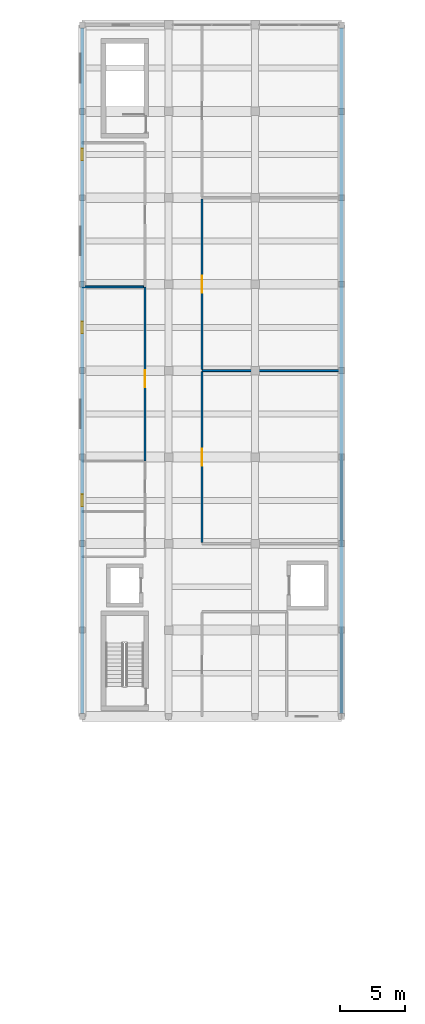
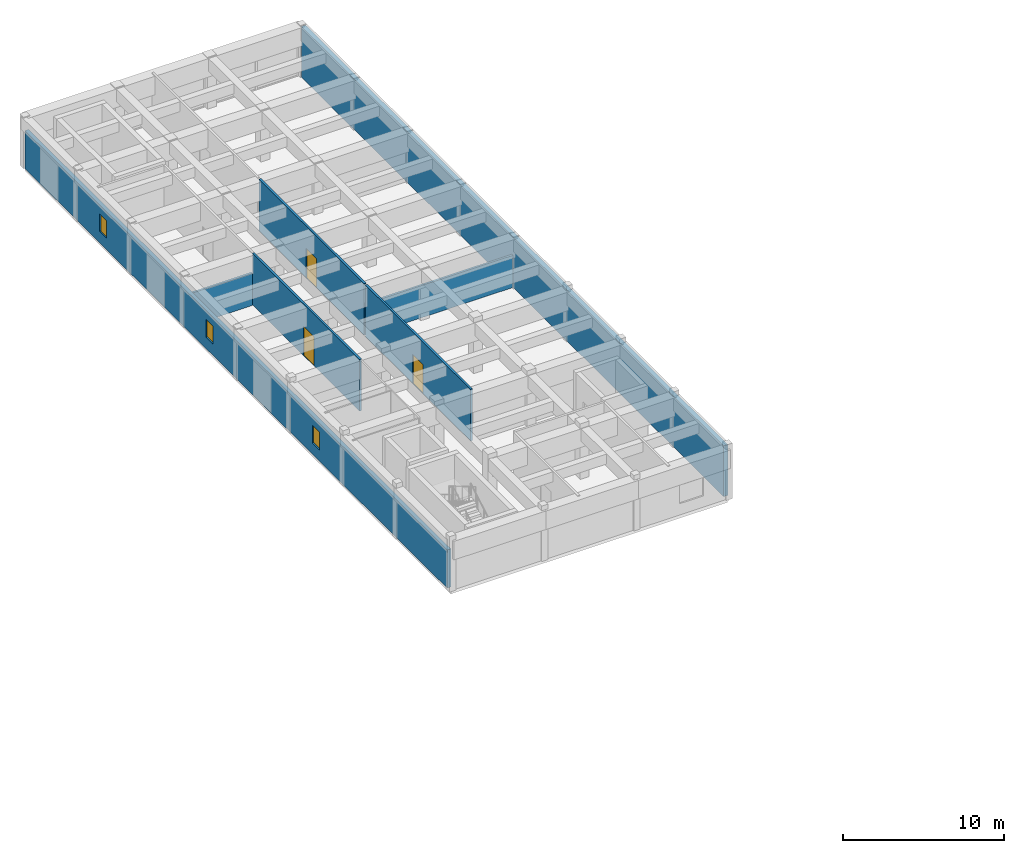
# One storey, part 120 of 134: 7 walls, 3 doors, 3 windows, 6 openings.
"""IFC4 building model written with IfcOpenShell, lengths in metres."""

from ifc_helpers import new_model, si_unit, direction, frame, frame_2d, origin, place, context, subcontext, project, spatial, rectangle, extrude, material, layer, layer_set, type_object, element, fill, save


model = new_model("IFC4")

# Units and contexts
model_context = context("Model", 3, precision=1e-05, world=origin(), true_north=direction((0.0, 1.0)))
body_context = subcontext(model_context, "Body", "Model", "MODEL_VIEW")
ifc_project = project(units=[si_unit("LENGTHUNIT", "METRE"), si_unit("AREAUNIT", "SQUARE_METRE"), si_unit("VOLUMEUNIT", "CUBIC_METRE"), si_unit("PLANEANGLEUNIT", "RADIAN"), si_unit("MASSUNIT", "GRAM", prefix="KILO")], contexts=[model_context])

# Site, building, storey
site_placement = place(None, origin())
site = spatial("IfcSite", under=ifc_project, at=site_placement, CompositionType="ELEMENT")
building_placement = place(site_placement, origin())
building = spatial("IfcBuilding", under=site, at=building_placement, Name="Karori Crest Natural Sciences Institute", CompositionType="ELEMENT")
storey_placement = place(building_placement, frame((0.0, 0.0, 21.699951171875)))
storey = spatial("IfcBuildingStorey", under=building, at=storey_placement, Name="L05", CompositionType="ELEMENT", Elevation=21.699951171875)

# Wall
ifc_material_1 = material(Name="Clean-room insulated fire partition")
ifc_layer_1 = layer(ifc_material_1, 0.14990234375, Name="Clean-room insulated fire partition")
ifc_layer_set_1 = layer_set([ifc_layer_1], Name="Clean-room insulated fire partition")
wall_type_1 = type_object("IfcWallType", Name="IWT-06", PredefinedType="PARTITIONING", material=ifc_layer_set_1)
wall_1_placement = place(storey_placement, frame((7.39990234375, 127.800048828125, 0.0), z_axis=(0.0, 0.0, 1.0), x_axis=(1.0, 0.0, 0.0)))
element("IfcWall", 1, at=wall_1_placement, inside=storey, type_object=wall_type_1, Name="Partition wall IW-1027", PredefinedType="PARTITIONING", context=body_context, shape_type="SweptSolid", body=[
    extrude(rectangle(XDim=4.697998046875, YDim=0.14990234375, at=frame_2d((2.34912109375, 0.0))), origin(), (0.0, 0.0, 1.0), 2.43505859375),
])

# Wall, opening, door
wall_2_placement = place(storey_placement, frame((12.199951171875, 114.501953125, 0.0), z_axis=(0.0, 0.0, 1.0), x_axis=(0.0, 1.0, 0.0)))
wall_2 = element("IfcWall", 2, at=wall_2_placement, inside=storey, type_object=wall_type_1, Name="Partition wall IW-1028", PredefinedType="PARTITIONING", context=body_context, shape_type="SweptSolid", body=[
    extrude(rectangle(XDim=13.298095703125, YDim=0.14990234375, at=frame_2d((6.64892578125, 0.0))), origin(), (0.0, 0.0, 1.0), 3.900146484375),
])
opening_1_placement = place(wall_2_placement, frame((5.64892578125, 0.0, 0.0)))
opening_1 = element("IfcOpeningElement", 3, at=opening_1_placement, cuts=wall_2, Name="Opening ID-0283", PredefinedType="OPENING", context=body_context, shape_type="SweptSolid", body=[
    extrude(rectangle(XDim=1.300048828125, YDim=2.199951171875, at=frame_2d((0.64990234375, 1.10009765625))), frame((0.0, 0.0849609375, 0.0), z_axis=(0.0, -1.0, 0.0), x_axis=(1.0, 0.0, 0.0)), (0.0, 0.0, 1.0), 0.169921875),
])
ifc_material_2 = material(Name="Stainless steel 316 and fire-rated timber", Category="steel")
door_type = type_object("IfcDoorType", Name="IDT-04", OperationType="NOTDEFINED", PredefinedType="DOOR", material=ifc_material_2)
door_1_placement = place(opening_1_placement, origin())
door_1 = element("IfcDoor", 4, at=door_1_placement, inside=storey, type_object=door_type, Name="Clean-Room Gowning Airlock Suite door ID-0283", OperationType="SINGLE_SWING_LEFT", OverallHeight=2.199951171875, OverallWidth=1.300048828125, PredefinedType="DOOR", context=body_context, shape_type="SweptSolid", body=[
    extrude(rectangle(XDim=1.300048828125, YDim=2.199951171875, at=frame_2d((0.64990234375, 1.10009765625))), frame((0.0, 0.02490234375, 0.0), z_axis=(0.0, -1.0, 0.0), x_axis=(1.0, 0.0, 0.0)), (0.0, 0.0, 1.0), 0.050048828125),
])
fill(opening_1, door_1)

# Wall
wall_3_placement = place(storey_placement, frame((16.550048828125, 121.39990234375, 0.0), z_axis=(0.0, 0.0, 1.0), x_axis=(1.0, 0.0, 0.0)))
element("IfcWall", 5, at=wall_3_placement, inside=storey, type_object=wall_type_1, Name="Partition wall IW-1035", PredefinedType="PARTITIONING", context=body_context, shape_type="SweptSolid", body=[
    extrude(rectangle(XDim=10.64990234375, YDim=0.14990234375, at=frame_2d((5.324951171875, 0.0))), origin(), (0.0, 0.0, 1.0), 2.43505859375),
])

# Wall, opening, door
wall_4_placement = place(storey_placement, frame((16.550048828125, 108.277099609375, 0.0), z_axis=(0.0, 0.0, 1.0), x_axis=(0.0, 1.0, 0.0)))
wall_4 = element("IfcWall", 6, at=wall_4_placement, inside=storey, type_object=wall_type_1, Name="Partition wall IW-1036", PredefinedType="PARTITIONING", context=body_context, shape_type="SweptSolid", body=[
    extrude(rectangle(XDim=13.0458984375, YDim=0.14990234375, at=frame_2d((6.52294921875, 0.0))), origin(), (0.0, 0.0, 1.0), 3.900146484375),
])
opening_2_placement = place(wall_4_placement, frame((5.873046875, 0.0, 0.0)))
opening_2 = element("IfcOpeningElement", 7, at=opening_2_placement, cuts=wall_4, Name="Opening ID-0286", PredefinedType="OPENING", context=body_context, shape_type="SweptSolid", body=[
    extrude(rectangle(XDim=1.300048828125, YDim=2.199951171875, at=frame_2d((0.64990234375, 1.10009765625))), frame((0.0, 0.0849609375, 0.0), z_axis=(0.0, -1.0, 0.0), x_axis=(1.0, 0.0, 0.0)), (0.0, 0.0, 1.0), 0.169921875),
])
door_2_placement = place(opening_2_placement, origin())
door_2 = element("IfcDoor", 8, at=door_2_placement, inside=storey, type_object=door_type, Name="Laser Interferometry Metrology Suite door ID-0286", OperationType="SINGLE_SWING_RIGHT", OverallHeight=2.199951171875, OverallWidth=1.300048828125, PredefinedType="DOOR", context=body_context, shape_type="SweptSolid", body=[
    extrude(rectangle(XDim=1.300048828125, YDim=2.199951171875, at=frame_2d((0.64990234375, 1.10009765625))), frame((0.0, 0.02490234375, 0.0), z_axis=(0.0, -1.0, 0.0), x_axis=(1.0, 0.0, 0.0)), (0.0, 0.0, 1.0), 0.050048828125),
])
fill(opening_2, door_2)

wall_5_placement = place(storey_placement, frame((16.550048828125, 121.47705078125, 0.0), z_axis=(0.0, 0.0, 1.0), x_axis=(0.0, 1.0, 0.0)))
wall_5 = element("IfcWall", 9, at=wall_5_placement, inside=storey, type_object=wall_type_1, Name="Partition wall IW-1038", PredefinedType="PARTITIONING", context=body_context, shape_type="SweptSolid", body=[
    extrude(rectangle(XDim=13.0458984375, YDim=0.14990234375, at=frame_2d((6.52294921875, 0.0))), origin(), (0.0, 0.0, 1.0), 3.900146484375),
])
opening_3_placement = place(wall_5_placement, frame((5.873046875, 0.0, 0.0)))
opening_3 = element("IfcOpeningElement", 10, at=opening_3_placement, cuts=wall_5, Name="Opening ID-0287", PredefinedType="OPENING", context=body_context, shape_type="SweptSolid", body=[
    extrude(rectangle(XDim=1.300048828125, YDim=2.199951171875, at=frame_2d((0.64990234375, 1.10009765625))), frame((0.0, 0.0849609375, 0.0), z_axis=(0.0, -1.0, 0.0), x_axis=(1.0, 0.0, 0.0)), (0.0, 0.0, 1.0), 0.169921875),
])
door_3_placement = place(opening_3_placement, origin())
door_3 = element("IfcDoor", 11, at=door_3_placement, inside=storey, type_object=door_type, Name="Electron Microscopy Clean Room door ID-0287", OperationType="SINGLE_SWING_LEFT", OverallHeight=2.199951171875, OverallWidth=1.300048828125, PredefinedType="DOOR", context=body_context, shape_type="SweptSolid", body=[
    extrude(rectangle(XDim=1.300048828125, YDim=2.199951171875, at=frame_2d((0.64990234375, 1.10009765625))), frame((0.0, 0.02490234375, 0.0), z_axis=(0.0, -1.0, 0.0), x_axis=(1.0, 0.0, 0.0)), (0.0, 0.0, 1.0), 0.050048828125),
])
fill(opening_3, door_3)

# Wall
ifc_material_3 = material(Name="Precast concrete 40 MPa", Category="concrete")
ifc_layer_2 = layer(ifc_material_3, 0.300048828125, Name="Precast concrete 40 MPa")
ifc_layer_set_2 = layer_set([ifc_layer_2], Name="Precast concrete 40 MPa")
wall_type_2 = type_object("IfcWallType", Name="WT-01", PredefinedType="SOLIDWALL", material=ifc_layer_set_2)
wall_6_placement = place(storey_placement, frame((27.199951171875, 147.576904296875, 0.0), z_axis=(0.0, 0.0, 1.0), x_axis=(0.0, -1.0, 0.0)))
element("IfcWall", 12, at=wall_6_placement, inside=storey, type_object=wall_type_2, Name="Exterior wall EW-0177", PredefinedType="SOLIDWALL", context=body_context, shape_type="SweptSolid", body=[
    extrude(rectangle(XDim=52.35400390625, YDim=0.300048828125, at=frame_2d((26.177001953125, 0.0))), origin(), (0.0, 0.0, 1.0), 3.840087890625),
])

# Wall, openings, windows
ifc_layer_3 = layer(ifc_material_3, 0.260009765625, Name="Precast concrete 40 MPa")
ifc_layer_set_3 = layer_set([ifc_layer_3], Name="Precast concrete 40 MPa")
wall_type_3 = type_object("IfcWallType", Name="WT-03", PredefinedType="SOLIDWALL", material=ifc_layer_set_3)
wall_7_placement = place(storey_placement, frame((7.39990234375, 95.222900390625, 0.0), z_axis=(0.0, 0.0, 1.0), x_axis=(0.0, 1.0, 0.0)))
wall_7 = element("IfcWall", 13, at=wall_7_placement, inside=storey, type_object=wall_type_3, Name="Exterior wall EW-0178", PredefinedType="SOLIDWALL", context=body_context, shape_type="SweptSolid", body=[
    extrude(rectangle(XDim=52.35400390625, YDim=0.260009765625, at=frame_2d((26.177001953125, 0.0))), origin(), (0.0, 0.0, 1.0), 2.885009765625),
])
opening_4_placement = place(wall_7_placement, frame((15.826904296875, 0.0, 0.85009765625)))
opening_4 = element("IfcOpeningElement", 14, at=opening_4_placement, cuts=wall_7, Name="Opening WN-0121", PredefinedType="OPENING", context=body_context, shape_type="SweptSolid", body=[
    extrude(rectangle(XDim=0.89990234375, YDim=1.35009765625, at=frame_2d((0.449951171875, 0.675048828125))), frame((0.0, 0.14013671875, 0.0), z_axis=(0.0, -1.0, 0.0), x_axis=(1.0, 0.0, 0.0)), (0.0, 0.0, 1.0), 0.280029296875),
])
opening_5_placement = place(wall_7_placement, frame((29.027099609375, 0.0, 0.85009765625)))
opening_5 = element("IfcOpeningElement", 15, at=opening_5_placement, cuts=wall_7, Name="Opening WN-0122", PredefinedType="OPENING", context=body_context, shape_type="SweptSolid", body=[
    extrude(rectangle(XDim=0.89990234375, YDim=1.35009765625, at=frame_2d((0.449951171875, 0.675048828125))), frame((0.0, 0.14013671875, 0.0), z_axis=(0.0, -1.0, 0.0), x_axis=(1.0, 0.0, 0.0)), (0.0, 0.0, 1.0), 0.280029296875),
])
opening_6_placement = place(wall_7_placement, frame((42.22705078125, 0.0, 0.85009765625)))
opening_6 = element("IfcOpeningElement", 16, at=opening_6_placement, cuts=wall_7, Name="Opening WN-0123", PredefinedType="OPENING", context=body_context, shape_type="SweptSolid", body=[
    extrude(rectangle(XDim=0.89990234375, YDim=1.35009765625, at=frame_2d((0.449951171875, 0.675048828125))), frame((0.0, 0.14013671875, 0.0), z_axis=(0.0, -1.0, 0.0), x_axis=(1.0, 0.0, 0.0)), (0.0, 0.0, 1.0), 0.280029296875),
])
ifc_material_4 = material(Name="Double low-E laminated glass", Category="glass")
window_type = type_object("IfcWindowType", Name="WNT-17", PartitioningType="SINGLE_PANEL", PredefinedType="WINDOW", material=ifc_material_4)
window_1_placement = place(opening_4_placement, origin())
window_1 = element("IfcWindow", 17, at=window_1_placement, inside=storey, type_object=window_type, Name="Window WN-0121", OverallHeight=1.35009765625, OverallWidth=0.89990234375, PartitioningType="SINGLE_PANEL", PredefinedType="WINDOW", context=body_context, shape_type="SweptSolid", body=[
    extrude(rectangle(XDim=0.89990234375, YDim=1.35009765625, at=frame_2d((0.449951171875, 0.675048828125))), frame((0.0, 0.030029296875, 0.0), z_axis=(0.0, -1.0, 0.0), x_axis=(1.0, 0.0, 0.0)), (0.0, 0.0, 1.0), 0.06005859375),
])
fill(opening_4, window_1)
window_2_placement = place(opening_5_placement, origin())
window_2 = element("IfcWindow", 18, at=window_2_placement, inside=storey, type_object=window_type, Name="Window WN-0122", OverallHeight=1.35009765625, OverallWidth=0.89990234375, PartitioningType="SINGLE_PANEL", PredefinedType="WINDOW", context=body_context, shape_type="SweptSolid", body=[
    extrude(rectangle(XDim=0.89990234375, YDim=1.35009765625, at=frame_2d((0.449951171875, 0.675048828125))), frame((0.0, 0.030029296875, 0.0), z_axis=(0.0, -1.0, 0.0), x_axis=(1.0, 0.0, 0.0)), (0.0, 0.0, 1.0), 0.06005859375),
])
fill(opening_5, window_2)
window_3_placement = place(opening_6_placement, origin())
window_3 = element("IfcWindow", 19, at=window_3_placement, inside=storey, type_object=window_type, Name="Window WN-0123", OverallHeight=1.35009765625, OverallWidth=0.89990234375, PartitioningType="SINGLE_PANEL", PredefinedType="WINDOW", context=body_context, shape_type="SweptSolid", body=[
    extrude(rectangle(XDim=0.89990234375, YDim=1.35009765625, at=frame_2d((0.449951171875, 0.675048828125))), frame((0.0, 0.030029296875, 0.0), z_axis=(0.0, -1.0, 0.0), x_axis=(1.0, 0.0, 0.0)), (0.0, 0.0, 1.0), 0.06005859375),
])
fill(opening_6, window_3)

save(model, "model.ifc")
